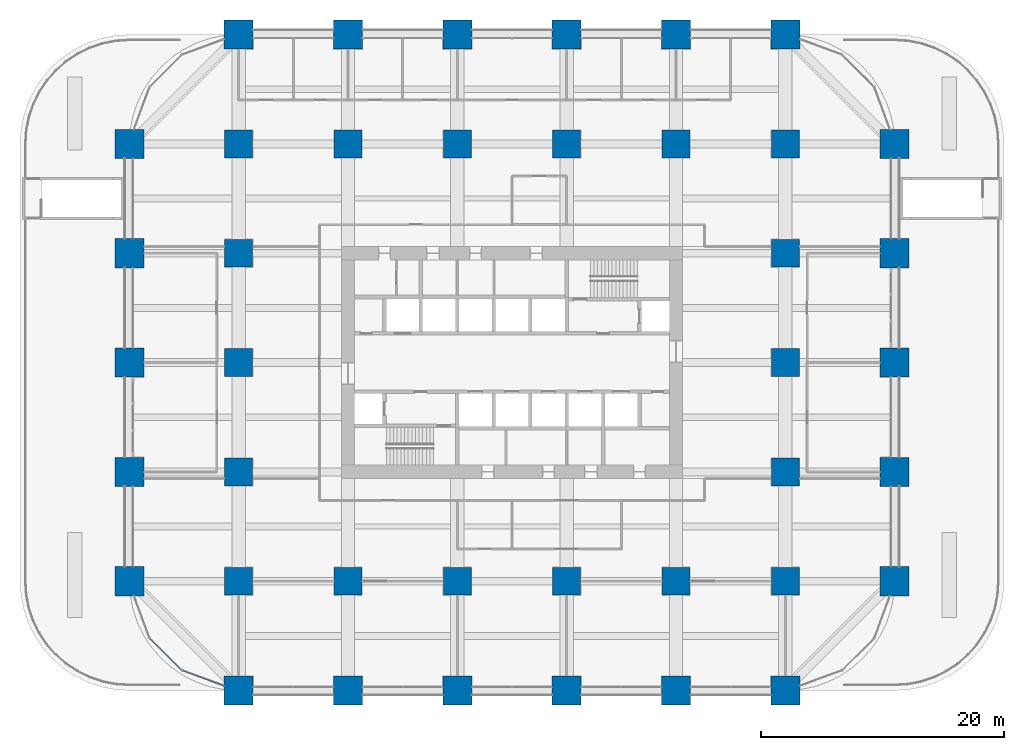
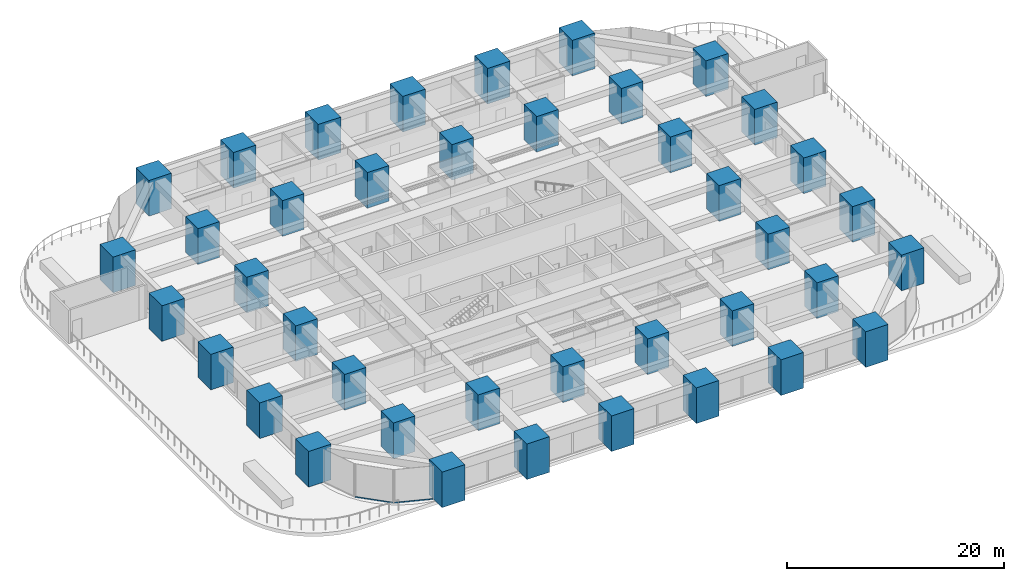
# One storey, part 1 of 38: 40 columns, 2 members, 2 elements without a shape of their own.
"""IFC4 building model written with IfcOpenShell, lengths in metres."""

from ifc_helpers import new_model, si_unit, direction, frame, origin, origin_2d, place, context, subcontext, project, spatial, rectangle, hollow_rectangle, extrude, material, material_profile, profile_set, type_object, element, aggregate, save


model = new_model("IFC4")

# Units and contexts
model_context = context("Model", 3, precision=1e-05, world=origin(), true_north=direction((0.0, 1.0)))
body_context = subcontext(model_context, "Body", "Model", "MODEL_VIEW")
ifc_project = project(units=[si_unit("LENGTHUNIT", "METRE"), si_unit("AREAUNIT", "SQUARE_METRE"), si_unit("VOLUMEUNIT", "CUBIC_METRE"), si_unit("PLANEANGLEUNIT", "RADIAN"), si_unit("MASSUNIT", "GRAM", prefix="KILO")], contexts=[model_context])

# Site, building, storey
site_placement = place(None, origin())
site = spatial("IfcSite", under=ifc_project, at=site_placement, CompositionType="ELEMENT")
building_placement = place(site_placement, origin())
building = spatial("IfcBuilding", under=site, at=building_placement, Name="Zorevar Civic Tower", CompositionType="ELEMENT")
storey_placement = place(building_placement, frame((0.0, 0.0, 15.800048828125)))
storey = spatial("IfcBuildingStorey", under=building, at=storey_placement, Name="L03", CompositionType="ELEMENT", Elevation=15.800048828125)

# Columns
ifc_material_1 = material(Name="Concrete C50/60", Category="concrete")
ifc_material_profile_1 = material_profile(ifc_material_1, rectangle(XDim=2.300048828125, YDim=2.300048828125, at=origin_2d()), Name="RC 2300x2300")
ifc_profile_set_1 = profile_set([ifc_material_profile_1], Name="Concrete C50/60")
column_type_1 = type_object("IfcColumnType", Name="Column RC 2300x2300", PredefinedType="COLUMN", material=ifc_profile_set_1)
for number, where, z_axis, x_axis, name in (
    (1, (9.0, 9.0, 0.0), (0.0, 0.0, 1.0), (1.0, 0.0, 0.0), "Column 3B L03"),
    (2, (9.0, 18.0, 0.0), (0.0, 0.0, 1.0), (1.0, 0.0, 0.0), "Column 3C L03"),
    (3, (9.0, 27.0, 0.0), (0.0, 0.0, 1.0), (1.0, 0.0, 0.0), "Column 3D L03"),
    (4, (9.0, 36.0, 0.0), (0.0, 0.0, 1.0), (1.0, 0.0, 0.0), "Column 3E L03"),
    (5, (9.0, 45.0, 0.0), (0.0, 0.0, 1.0), (1.0, 0.0, 0.0), "Column 3F L03"),
    (6, (18.0, 9.0, 0.0), (0.0, 0.0, 1.0), (1.0, 0.0, 0.0), "Column 4B L03"),
    (7, (18.0, 45.0, 0.0), (0.0, 0.0, 1.0), (1.0, 0.0, 0.0), "Column 4F L03"),
    (8, (27.0, 9.0, 0.0), (0.0, 0.0, 1.0), (1.0, 0.0, 0.0), "Column 5B L03"),
    (9, (27.0, 45.0, 0.0), (0.0, 0.0, 1.0), (1.0, 0.0, 0.0), "Column 5F L03"),
    (10, (36.0, 9.0, 0.0), (0.0, 0.0, 1.0), (1.0, 0.0, 0.0), "Column 6B L03"),
    (11, (36.0, 45.0, 0.0), (0.0, 0.0, 1.0), (1.0, 0.0, 0.0), "Column 6F L03"),
    (12, (45.0, 9.0, 0.0), (0.0, 0.0, 1.0), (1.0, 0.0, 0.0), "Column 7B L03"),
    (13, (45.0, 45.0, 0.0), (0.0, 0.0, 1.0), (1.0, 0.0, 0.0), "Column 7F L03"),
    (14, (54.0, 9.0, 0.0), (0.0, 0.0, 1.0), (1.0, 0.0, 0.0), "Column 8B L03"),
    (15, (54.0, 18.0, 0.0), (0.0, 0.0, 1.0), (1.0, 0.0, 0.0), "Column 8C L03"),
    (16, (54.0, 27.0, 0.0), (0.0, 0.0, 1.0), (1.0, 0.0, 0.0), "Column 8D L03"),
    (17, (54.0, 36.0, 0.0), (0.0, 0.0, 1.0), (1.0, 0.0, 0.0), "Column 8E L03"),
    (18, (54.0, 45.0, 0.0), (0.0, 0.0, 1.0), (1.0, 0.0, 0.0), "Column 8F L03"),
):
    element("IfcColumn", number, at=place(storey_placement, frame(where, z_axis=z_axis, x_axis=x_axis)), inside=storey, type_object=column_type_1, Name=name, PredefinedType="COLUMN", context=body_context, shape_type="SweptSolid", body=[
        extrude(rectangle(XDim=2.300048828125, YDim=2.300048828125, at=origin_2d()), origin(), (0.0, 0.0, 1.0), 4.0),
    ])
ifc_material_2 = material(Name="Concrete C50/60", Category="concrete")
ifc_material_profile_2 = material_profile(ifc_material_2, rectangle(XDim=2.39990234375, YDim=2.39990234375, at=origin_2d()), Name="RC 2400x2400")
ifc_profile_set_2 = profile_set([ifc_material_profile_2], Name="Concrete C50/60")
column_type_2 = type_object("IfcColumnType", Name="Column RC 2400x2400", PredefinedType="COLUMN", material=ifc_profile_set_2)
for number, where, z_axis, x_axis, name in (
    (19, (0.0, 9.0, 0.0), (0.0, 0.0, 1.0), (1.0, 0.0, 0.0), "Column 2B L03"),
    (20, (0.0, 18.0, 0.0), (0.0, 0.0, 1.0), (1.0, 0.0, 0.0), "Column 2C L03"),
    (21, (0.0, 27.0, 0.0), (0.0, 0.0, 1.0), (1.0, 0.0, 0.0), "Column 2D L03"),
    (22, (0.0, 36.0, 0.0), (0.0, 0.0, 1.0), (1.0, 0.0, 0.0), "Column 2E L03"),
    (23, (0.0, 45.0, 0.0), (0.0, 0.0, 1.0), (1.0, 0.0, 0.0), "Column 2F L03"),
    (24, (9.0, 0.0, 0.0), (0.0, 0.0, 1.0), (1.0, 0.0, 0.0), "Column 3A L03"),
    (25, (9.0, 54.0, 0.0), (0.0, 0.0, 1.0), (1.0, 0.0, 0.0), "Column 3G L03"),
    (26, (18.0, 0.0, 0.0), (0.0, 0.0, 1.0), (1.0, 0.0, 0.0), "Column 4A L03"),
    (27, (18.0, 54.0, 0.0), (0.0, 0.0, 1.0), (1.0, 0.0, 0.0), "Column 4G L03"),
    (28, (27.0, 0.0, 0.0), (0.0, 0.0, 1.0), (1.0, 0.0, 0.0), "Column 5A L03"),
    (29, (27.0, 54.0, 0.0), (0.0, 0.0, 1.0), (1.0, 0.0, 0.0), "Column 5G L03"),
    (30, (36.0, 0.0, 0.0), (0.0, 0.0, 1.0), (1.0, 0.0, 0.0), "Column 6A L03"),
    (31, (36.0, 54.0, 0.0), (0.0, 0.0, 1.0), (1.0, 0.0, 0.0), "Column 6G L03"),
    (32, (45.0, 0.0, 0.0), (0.0, 0.0, 1.0), (1.0, 0.0, 0.0), "Column 7A L03"),
    (33, (45.0, 54.0, 0.0), (0.0, 0.0, 1.0), (1.0, 0.0, 0.0), "Column 7G L03"),
    (34, (54.0, 0.0, 0.0), (0.0, 0.0, 1.0), (1.0, 0.0, 0.0), "Column 8A L03"),
    (35, (54.0, 54.0, 0.0), (0.0, 0.0, 1.0), (1.0, 0.0, 0.0), "Column 8G L03"),
    (36, (63.0, 9.0, 0.0), (0.0, 0.0, 1.0), (1.0, 0.0, 0.0), "Column 9B L03"),
    (37, (63.0, 18.0, 0.0), (0.0, 0.0, 1.0), (1.0, 0.0, 0.0), "Column 9C L03"),
    (38, (63.0, 27.0, 0.0), (0.0, 0.0, 1.0), (1.0, 0.0, 0.0), "Column 9D L03"),
    (39, (63.0, 36.0, 0.0), (0.0, 0.0, 1.0), (1.0, 0.0, 0.0), "Column 9E L03"),
    (40, (63.0, 45.0, 0.0), (0.0, 0.0, 1.0), (1.0, 0.0, 0.0), "Column 9F L03"),
):
    element("IfcColumn", number, at=place(storey_placement, frame(where, z_axis=z_axis, x_axis=x_axis)), inside=storey, type_object=column_type_2, Name=name, PredefinedType="COLUMN", context=body_context, shape_type="SweptSolid", body=[
        extrude(rectangle(XDim=2.39990234375, YDim=2.39990234375, at=origin_2d()), origin(), (0.0, 0.0, 1.0), 4.0),
    ])

# Curtain wall, member
ifc_material_3 = material(Name="Dark grey solar-control glass in black aluminium frame", Category="aluminium")
curtain_wall_type = type_object("IfcCurtainWallType", Name="Curtain wall CW2 low zone", PredefinedType="NOTDEFINED", material=ifc_material_3)
curtain_wall_1_placement = place(storey_placement, origin())
curtain_wall_1 = element("IfcCurtainWall", 41, at=curtain_wall_1_placement, inside=storey, type_object=curtain_wall_type, Name="CW2 L03", PredefinedType="NOTDEFINED")
ifc_material_4 = material(Name="Aluminium, black anodised", Category="aluminium")
ifc_material_profile_3 = material_profile(ifc_material_4, hollow_rectangle(XDim=0.06005859375, YDim=0.14990234375, WallThickness=0.00390625, at=origin_2d()), Name="AL 150x60x4")
ifc_profile_set_3 = profile_set([ifc_material_profile_3], Name="Aluminium, black anodised")
member_type = type_object("IfcMemberType", Name="CW2 transom AL 150x60x4", PredefinedType="USERDEFINED", material=ifc_profile_set_3)
member_1_placement = place(storey_placement, frame((1.716552734375, 4.264892578125, 0.030029296875), z_axis=(0.707106781187, -0.707106781187, 0.0), x_axis=(0.707106781187, 0.707106781187, 0.0)))
member_1 = element("IfcMember", 42, at=member_1_placement, type_object=member_type, Name="CW2 sill transom", ObjectType="TRANSOM", PredefinedType="USERDEFINED", context=body_context, shape_type="SweptSolid", body=[
    extrude(hollow_rectangle(XDim=0.06005859375, YDim=0.14990234375, WallThickness=0.00390625, at=origin_2d()), origin(), (0.0, 0.0, 1.0), 3.60400390625),
])
aggregate(curtain_wall_1, [member_1])

curtain_wall_2_placement = place(storey_placement, origin())
curtain_wall_2 = element("IfcCurtainWall", 43, at=curtain_wall_2_placement, inside=storey, type_object=curtain_wall_type, Name="CW2 L03", PredefinedType="NOTDEFINED")
member_2_placement = place(storey_placement, frame((4.363525390625, 1.6533203125, 0.030029296875), z_axis=(0.93798635741, -0.346672169799, 0.0), x_axis=(0.346672169799, 0.93798635741, 0.0)))
member_2 = element("IfcMember", 44, at=member_2_placement, type_object=member_type, Name="CW2 sill transom", ObjectType="TRANSOM", PredefinedType="USERDEFINED", context=body_context, shape_type="SweptSolid", body=[
    extrude(hollow_rectangle(XDim=0.06005859375, YDim=0.14990234375, WallThickness=0.00390625, at=origin_2d()), origin(), (0.0, 0.0, 1.0), 3.603515625),
])
aggregate(curtain_wall_2, [member_2])

save(model, "model.ifc")
